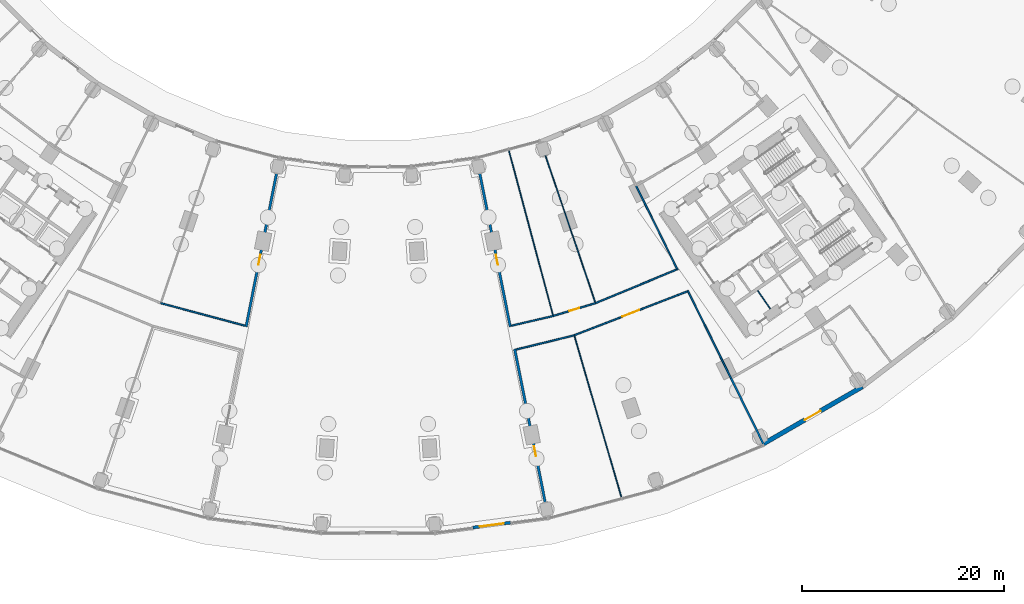
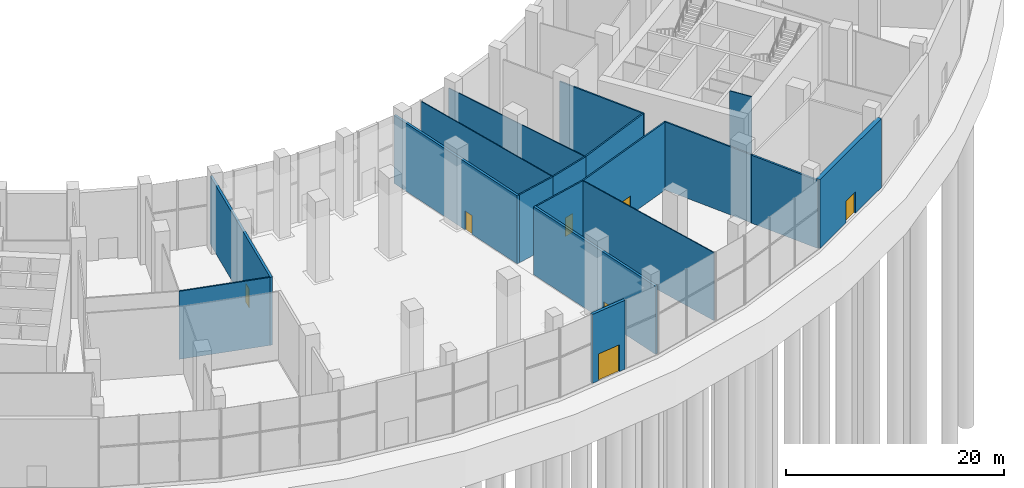
# One storey, part 8 of 23: 18 walls, 7 doors, 7 openings.
"""IFC4 building model written with IfcOpenShell, lengths in metres."""

import ifcopenshell
import ifcopenshell.guid

model = None  # the IFC model being written
_history = None  # IfcOwnerHistory: only IFC2X3 demands one
_inside = {}  # id of a spatial element -> (the spatial element, [elements in it])
_under = {}  # id of a project, library or spatial element -> (it, [spatial elements below it])
_declared = {}  # id of a project -> (the project, [libraries it declares])
_typed = {}  # id of a type object -> (the type object, [elements of that type])
_made_of = {}  # id of a material, layer set ... -> (it, [elements and type objects made of it])


def new_model(schema):
    """Start an empty IFC model of exactly this schema.

    Asked for "IFC4X3", IfcOpenShell would pick the latest addendum, in which some entities
    have other attributes; the version numbers below select the first issue.
    IFC2X3 requires an IfcOwnerHistory on every rooted entity: one is made here for all.
    """
    global model, _history
    if schema == "IFC4X3":
        model = ifcopenshell.file(schema_version=(4, 3, 0, 0))
    else:
        model = ifcopenshell.file(schema=schema)
    _inside.clear()
    _under.clear()
    _declared.clear()
    _typed.clear()
    _made_of.clear()
    _history = None
    if model.schema == "IFC2X3":
        org = make("IfcOrganization", Name="unknown")
        user = make(
            "IfcPersonAndOrganization",
            ThePerson=make("IfcPerson", FamilyName="unknown"),
            TheOrganization=org,
        )
        app = make(
            "IfcApplication",
            ApplicationDeveloper=org,
            Version="unknown",
            ApplicationFullName="unknown",
            ApplicationIdentifier="unknown",
        )
        _history = make(
            "IfcOwnerHistory",
            OwningUser=user,
            OwningApplication=app,
            ChangeAction="ADDED",
            CreationDate=0,
        )
    return model


def make(cls, **values):
    """One entity of the class cls with the attributes given. An attribute that is None is left unset."""
    return model.create_entity(
        cls, **{name: value for name, value in values.items() if value is not None}
    )


def rooted(cls, **values):
    """An entity with a GlobalId (a new one), such as an element, a storey or a relation."""
    return make(cls, GlobalId=ifcopenshell.guid.new(), OwnerHistory=_history, **values)


def si_unit(unit_type, name, prefix=None):
    """IfcSIUnit, for example si_unit("LENGTHUNIT", "METRE", prefix="MILLI")."""
    return make("IfcSIUnit", UnitType=unit_type, Prefix=prefix, Name=name)


def assignment(units):
    """IfcUnitAssignment: the units of a project."""
    return None if units is None else make("IfcUnitAssignment", Units=units)


def point(xyz):
    """IfcCartesianPoint."""
    return None if xyz is None else make("IfcCartesianPoint", Coordinates=xyz)


def direction(xyz):
    """IfcDirection."""
    return None if xyz is None else make("IfcDirection", DirectionRatios=xyz)


def frame(location, z_axis=None, x_axis=None):
    """IfcAxis2Placement3D, a coordinate frame: its origin and axes. An axis left out is left unset."""
    return make(
        "IfcAxis2Placement3D",
        Location=point(location),
        Axis=direction(z_axis),
        RefDirection=direction(x_axis),
    )


def frame_2d(location, x_axis=None):
    """IfcAxis2Placement2D, a coordinate frame in the plane: its origin and x axis."""
    return make(
        "IfcAxis2Placement2D", Location=point(location), RefDirection=direction(x_axis)
    )


def origin():
    """The frame at (0, 0, 0) with its axes left unset."""
    return frame((0.0, 0.0, 0.0))


def place(relative_to, where):
    """IfcLocalPlacement: puts the frame where relative to a parent placement (None: the world)."""
    return make(
        "IfcLocalPlacement", PlacementRelTo=relative_to, RelativePlacement=where
    )


def context(
    kind, dimensions, precision=None, world=None, true_north=None, identifier=None
):
    """IfcGeometricRepresentationContext, for example the 3D "Model" context."""
    return make(
        "IfcGeometricRepresentationContext",
        ContextIdentifier=identifier,
        ContextType=kind,
        CoordinateSpaceDimension=dimensions,
        Precision=precision,
        WorldCoordinateSystem=world,
        TrueNorth=true_north,
    )


def subcontext(parent, identifier, kind, view, scale=None):
    """IfcGeometricRepresentationSubContext, for example "Body" below "Model"."""
    return make(
        "IfcGeometricRepresentationSubContext",
        ContextIdentifier=identifier,
        ContextType=kind,
        ParentContext=parent,
        TargetScale=scale,
        TargetView=view,
    )


def project(units=None, contexts=None):
    """IfcProject with its units and contexts."""
    return rooted(
        "IfcProject",
        Name="project",
        RepresentationContexts=contexts,
        UnitsInContext=assignment(units),
    )


def spatial(cls, under=None, at=None, **own):
    """A site, building, storey or space (cls), placed at a placement, below another one or the project."""
    s = rooted(cls, ObjectPlacement=at, **own)
    if under is not None:
        _under.setdefault(under.id(), (under, []))[1].append(s)
    return s


def profile(cls, at=None, kind="AREA", **sizes):
    """A parametric profile (cls). Its sizes go by their IFC names, for example OverallWidth=200.0."""
    return make(cls, ProfileType=kind, Position=at, **sizes)


def rectangle(**sizes):
    """IfcRectangleProfileDef."""
    return profile("IfcRectangleProfileDef", **sizes)


def extrude(swept, where, along, depth):
    """IfcExtrudedAreaSolid: the profile swept, set in the frame where, extruded along a direction by depth."""
    return make(
        "IfcExtrudedAreaSolid",
        SweptArea=swept,
        Position=where,
        ExtrudedDirection=direction(along),
        Depth=depth,
    )


def shape(context_of_items, identifier, shape_type, items):
    """IfcShapeRepresentation: the items that make up one representation, for example the "Body"."""
    return make(
        "IfcShapeRepresentation",
        ContextOfItems=context_of_items,
        RepresentationIdentifier=identifier,
        RepresentationType=shape_type,
        Items=items,
    )


def material(Name=None, Category=None):
    """IfcMaterial."""
    return make("IfcMaterial", Name=Name, Category=Category)


def layer(
    of_material, thickness, ventilated=None, Name=None, Category=None, Priority=None
):
    """IfcMaterialLayer: one layer of a wall or slab, of a material (None: an air gap)."""
    return make(
        "IfcMaterialLayer",
        Material=of_material,
        LayerThickness=thickness,
        IsVentilated=ventilated,
        Name=Name,
        Category=Category,
        Priority=Priority,
    )


def layer_set(layers, Name=None):
    """IfcMaterialLayerSet."""
    return make("IfcMaterialLayerSet", MaterialLayers=layers, LayerSetName=Name)


def made_of(thing, what):
    """Note that an element or type object is made of a material, layer set ...; save() writes the relation."""
    if what is not None:
        _made_of.setdefault(what.id(), (what, []))[1].append(thing)
    return thing


def type_object(cls, material=None, **own):
    """A type object (cls), such as IfcWallType, which elements share."""
    return made_of(rooted(cls, **own), material)


def element(
    cls,
    number,
    at=None,
    inside=None,
    cuts=None,
    type_object=None,
    material=None,
    context=None,
    identifier="Body",
    shape_type=None,
    held_by="IfcProductDefinitionShape",
    body=None,
    shapes=None,
    **own,
):
    """One element of the class cls, such as IfcWall. Its Tag is "e" and its number.

    at: its placement. inside: the storey or other place that contains it. cuts: it is an
    opening in that element (IfcRelVoidsElement). A single representation is given by context,
    identifier, shape_type and body (its items); several are given by shapes. held_by: the class
    of the entity that holds the representations. save() writes the other relations.
    """
    e = rooted(cls, Tag="e%d" % number, ObjectPlacement=at, **own)
    if body is not None:
        shapes = [shape(context, identifier, shape_type, body)]
    if shapes is not None:
        e.Representation = make(held_by, Representations=shapes)
    if inside is not None:
        _inside.setdefault(inside.id(), (inside, []))[1].append(e)
    if cuts is not None:
        rooted(
            "IfcRelVoidsElement", RelatingBuildingElement=cuts, RelatedOpeningElement=e
        )
    if type_object is not None:
        _typed.setdefault(type_object.id(), (type_object, []))[1].append(e)
    return made_of(e, material)


def fill(opening, filler):
    """IfcRelFillsElement: the door or window that sits in an opening."""
    return rooted(
        "IfcRelFillsElement",
        RelatingOpeningElement=opening,
        RelatedBuildingElement=filler,
    )


def aggregate(whole, parts):
    """IfcRelAggregates: a whole, such as a stair, and the parts it consists of."""
    return rooted("IfcRelAggregates", RelatingObject=whole, RelatedObjects=parts)


def save(model, path):
    """Write the relations noted so far, then the file.

    IfcRelAggregates (storeys below a building ...), IfcRelContainedInSpatialStructure (elements
    in a storey), IfcRelDefinesByType, IfcRelAssociatesMaterial and IfcRelDeclares: one each for
    every whole, place, type object, material and project.
    """
    for whole, parts in _under.values():
        aggregate(whole, parts)
    for where, things in _inside.values():
        rooted(
            "IfcRelContainedInSpatialStructure",
            RelatedElements=things,
            RelatingStructure=where,
        )
    for kind, things in _typed.values():
        rooted("IfcRelDefinesByType", RelatedObjects=things, RelatingType=kind)
    for what, things in _made_of.values():
        rooted("IfcRelAssociatesMaterial", RelatedObjects=things, RelatingMaterial=what)
    for by, libraries in _declared.values():
        rooted("IfcRelDeclares", RelatingContext=by, RelatedDefinitions=libraries)
    model.write(path)


model = new_model("IFC4")

# Units and contexts
model_context = context("Model", 3, precision=1e-05, world=origin(), true_north=direction((0.0, 1.0)))
body_context = subcontext(model_context, "Body", "Model", "MODEL_VIEW")
ifc_project = project(units=[si_unit("LENGTHUNIT", "METRE"), si_unit("AREAUNIT", "SQUARE_METRE"), si_unit("VOLUMEUNIT", "CUBIC_METRE"), si_unit("PLANEANGLEUNIT", "RADIAN"), si_unit("MASSUNIT", "GRAM", prefix="KILO")], contexts=[model_context])

# Site, building, storey
site_placement = place(None, origin())
site = spatial("IfcSite", under=ifc_project, at=site_placement, CompositionType="ELEMENT")
building_placement = place(site_placement, origin())
building = spatial("IfcBuilding", under=site, at=building_placement, Name="Qamariyya Broadcast Tower", CompositionType="ELEMENT")
storey_placement = place(building_placement, origin())
storey = spatial("IfcBuildingStorey", under=building, at=storey_placement, Name="L00", CompositionType="ELEMENT", Elevation=0.0)

# Wall, opening, door
ifc_material_1 = material(Name="Masonry block wall", Category="masonry")
ifc_layer_1 = layer(ifc_material_1, 0.25)
ifc_layer_set_1 = layer_set([ifc_layer_1], Name="Concourse compartment wall 250 EI 120")
wall_type_1 = type_object("IfcWallType", Name="Concourse compartment wall 250 EI 120", PredefinedType="PARTITIONING", material=ifc_layer_set_1)
wall_1_placement = place(storey_placement, frame((-13.046630859375, -65.590087890625, 0.0), z_axis=(0.0, 0.0, 1.0), x_axis=(0.195085176221, 0.980786303952, 0.0)))
wall_1 = element("IfcWall", 1, at=wall_1_placement, inside=storey, type_object=wall_type_1, Name="Partition L00-031", PredefinedType="PARTITIONING", context=body_context, shape_type="SweptSolid", body=[
    extrude(rectangle(XDim=17.125, YDim=0.25, at=frame_2d((8.5625, 0.0))), origin(), (0.0, 0.0, 1.0), 7.60009765625),
])
opening_1_placement = place(wall_1_placement, frame((6.262451171875, 0.0, 0.0)))
opening_1 = element("IfcOpeningElement", 2, at=opening_1_placement, cuts=wall_1, Name="Opening L00-D03", PredefinedType="OPENING", context=body_context, shape_type="SweptSolid", body=[
    extrude(rectangle(XDim=1.0, YDim=2.10009765625, at=frame_2d((0.5, 1.050048828125))), frame((0.0, 0.135009765625, 0.0), z_axis=(0.0, -1.0, 0.0), x_axis=(1.0, 0.0, 0.0)), (0.0, 0.0, 1.0), 0.27001953125),
])
ifc_material_2 = material(Name="Timber fire door leaf", Category="wood")
door_type_1 = type_object("IfcDoorType", Name="Fire door 1000 x 2100 FD60", OperationType="NOTDEFINED", PredefinedType="DOOR", material=ifc_material_2)
door_1_placement = place(opening_1_placement, origin())
door_1 = element("IfcDoor", 3, at=door_1_placement, inside=storey, type_object=door_type_1, Name="Door L00-D03", OperationType="SINGLE_SWING_LEFT", OverallHeight=2.10009765625, OverallWidth=1.0, PredefinedType="DOOR", context=body_context, shape_type="SweptSolid", body=[
    extrude(rectangle(XDim=1.0, YDim=2.10009765625, at=frame_2d((0.5, 1.050048828125))), frame((0.0, 0.02490234375, 0.0), z_axis=(0.0, -1.0, 0.0), x_axis=(1.0, 0.0, 0.0)), (0.0, 0.0, 1.0), 0.050048828125),
])
fill(opening_1, door_1)

wall_2_placement = place(storey_placement, frame((9.705810546875, -48.794189453125, 0.0), z_axis=(0.0, 0.0, 1.0), x_axis=(0.195085176221, -0.980786303952, 0.0)))
wall_2 = element("IfcWall", 4, at=wall_2_placement, inside=storey, type_object=wall_type_1, Name="Partition L00-032", PredefinedType="PARTITIONING", context=body_context, shape_type="SweptSolid", body=[
    extrude(rectangle(XDim=17.125, YDim=0.25, at=frame_2d((8.5625, 0.0))), origin(), (0.0, 0.0, 1.0), 7.60009765625),
])
opening_2_placement = place(wall_2_placement, frame((9.862548828125, 0.0, 0.0)))
opening_2 = element("IfcOpeningElement", 5, at=opening_2_placement, cuts=wall_2, Name="Opening L00-D06", PredefinedType="OPENING", context=body_context, shape_type="SweptSolid", body=[
    extrude(rectangle(XDim=1.0, YDim=2.10009765625, at=frame_2d((0.5, 1.050048828125))), frame((0.0, 0.135009765625, 0.0), z_axis=(0.0, -1.0, 0.0), x_axis=(1.0, 0.0, 0.0)), (0.0, 0.0, 1.0), 0.27001953125),
])
door_2_placement = place(opening_2_placement, origin())
door_2 = element("IfcDoor", 6, at=door_2_placement, inside=storey, type_object=door_type_1, Name="Door L00-D06", OperationType="SINGLE_SWING_RIGHT", OverallHeight=2.10009765625, OverallWidth=1.0, PredefinedType="DOOR", context=body_context, shape_type="SweptSolid", body=[
    extrude(rectangle(XDim=1.0, YDim=2.10009765625, at=frame_2d((0.5, 1.050048828125))), frame((0.0, 0.02490234375, 0.0), z_axis=(0.0, -1.0, 0.0), x_axis=(1.0, 0.0, 0.0)), (0.0, 0.0, 1.0), 0.050048828125),
])
fill(opening_2, door_2)

wall_3_placement = place(storey_placement, frame((13.485595703125, -67.796875, 0.0), z_axis=(0.0, 0.0, 1.0), x_axis=(0.195086842272, -0.980785972561, 0.0)))
wall_3 = element("IfcWall", 7, at=wall_3_placement, inside=storey, type_object=wall_type_1, Name="Partition L00-035", PredefinedType="PARTITIONING", context=body_context, shape_type="SweptSolid", body=[
    extrude(rectangle(XDim=16.924560546875, YDim=0.25, at=frame_2d((8.46240234375, 0.0))), origin(), (0.0, 0.0, 1.0), 7.60009765625),
])
opening_3_placement = place(wall_3_placement, frame((9.76220703125, 0.0, 0.0)))
opening_3 = element("IfcOpeningElement", 8, at=opening_3_placement, cuts=wall_3, Name="Opening L00-D04", PredefinedType="OPENING", context=body_context, shape_type="SweptSolid", body=[
    extrude(rectangle(XDim=1.0, YDim=2.10009765625, at=frame_2d((0.5, 1.050048828125))), frame((0.0, 0.135009765625, 0.0), z_axis=(0.0, -1.0, 0.0), x_axis=(1.0, 0.0, 0.0)), (0.0, 0.0, 1.0), 0.27001953125),
])
door_3_placement = place(opening_3_placement, origin())
door_3 = element("IfcDoor", 9, at=door_3_placement, inside=storey, type_object=door_type_1, Name="Door L00-D04", OperationType="SINGLE_SWING_RIGHT", OverallHeight=2.10009765625, OverallWidth=1.0, PredefinedType="DOOR", context=body_context, shape_type="SweptSolid", body=[
    extrude(rectangle(XDim=1.0, YDim=2.10009765625, at=frame_2d((0.5, 1.050048828125))), frame((0.0, 0.02490234375, 0.0), z_axis=(0.0, -1.0, 0.0), x_axis=(1.0, 0.0, 0.0)), (0.0, 0.0, 1.0), 0.050048828125),
])
fill(opening_3, door_3)

# Walls
ifc_material_3 = material(Name="Gypsum board partition")
ifc_layer_2 = layer(ifc_material_3, 0.14990234375)
ifc_layer_set_2 = layer_set([ifc_layer_2], Name="Corridor partition 150 EI 60")
wall_type_2 = type_object("IfcWallType", Name="Corridor partition 150 EI 60", PredefinedType="PARTITIONING", material=ifc_layer_set_2)
wall_4_placement = place(storey_placement, frame((-21.47216796875, -63.2548828125, 0.0), z_axis=(0.0, 0.0, 1.0), x_axis=(0.96592325157, -0.258828653894, 0.0)))
element("IfcWall", 10, at=wall_4_placement, inside=storey, type_object=wall_type_2, Name="Partition L00-028", PredefinedType="PARTITIONING", context=body_context, shape_type="SweptSolid", body=[
    extrude(rectangle(XDim=8.61279296875, YDim=0.14990234375, at=frame_2d((4.306396484375, 0.0))), origin(), (0.0, 0.0, 1.0), 7.60009765625),
])
wall_5_placement = place(storey_placement, frame((13.15380859375, -65.488037109375, 0.0), z_axis=(0.0, 0.0, 1.0), x_axis=(0.973881908434, 0.227055121998, 0.0)))
element("IfcWall", 11, at=wall_5_placement, inside=storey, type_object=wall_type_2, Name="Partition L00-034", PredefinedType="PARTITIONING", context=body_context, shape_type="SweptSolid", body=[
    extrude(rectangle(XDim=4.24609375, YDim=0.14990234375, at=frame_2d((2.123046875, 0.0))), origin(), (0.0, 0.0, 1.0), 7.60009765625),
])
wall_6_placement = place(storey_placement, frame((13.62158203125, -67.840576171875, 0.0), z_axis=(0.0, 0.0, 1.0), x_axis=(0.971337396257, 0.237704990762, 0.0)))
element("IfcWall", 12, at=wall_6_placement, inside=storey, type_object=wall_type_2, Name="Partition L00-036", PredefinedType="PARTITIONING", context=body_context, shape_type="SweptSolid", body=[
    extrude(rectangle(XDim=5.913818359375, YDim=0.14990234375, at=frame_2d((2.95703125, 0.0))), origin(), (0.0, 0.0, 1.0), 7.60009765625),
])

# Wall, opening, door
wall_7_placement = place(storey_placement, frame((17.2890625, -64.52392578125, 0.0), z_axis=(0.0, 0.0, 1.0), x_axis=(0.956933231095, 0.290308097072, 0.0)))
wall_7 = element("IfcWall", 13, at=wall_7_placement, inside=storey, type_object=wall_type_2, Name="Partition L00-038", PredefinedType="PARTITIONING", context=body_context, shape_type="SweptSolid", body=[
    extrude(rectangle(XDim=4.371337890625, YDim=0.14990234375, at=frame_2d((2.185546875, 0.0))), origin(), (0.0, 0.0, 1.0), 7.60009765625),
])
opening_4_placement = place(wall_7_placement, frame((1.685546875, 0.0, 0.0)))
opening_4 = element("IfcOpeningElement", 14, at=opening_4_placement, cuts=wall_7, Name="Opening L00-D07", PredefinedType="OPENING", context=body_context, shape_type="SweptSolid", body=[
    extrude(rectangle(XDim=1.0, YDim=2.10009765625, at=frame_2d((0.5, 1.050048828125))), frame((0.0, 0.0849609375, 0.0), z_axis=(0.0, -1.0, 0.0), x_axis=(1.0, 0.0, 0.0)), (0.0, 0.0, 1.0), 0.169921875),
])
door_4_placement = place(opening_4_placement, origin())
door_4 = element("IfcDoor", 15, at=door_4_placement, inside=storey, type_object=door_type_1, Name="Door L00-D07", OperationType="SINGLE_SWING_RIGHT", OverallHeight=2.10009765625, OverallWidth=1.0, PredefinedType="DOOR", context=body_context, shape_type="SweptSolid", body=[
    extrude(rectangle(XDim=1.0, YDim=2.10009765625, at=frame_2d((0.5, 1.050048828125))), frame((0.0, 0.02490234375, 0.0), z_axis=(0.0, -1.0, 0.0), x_axis=(1.0, 0.0, 0.0)), (0.0, 0.0, 1.0), 0.050048828125),
])
fill(opening_4, door_4)

wall_8_placement = place(storey_placement, frame((30.536376953125, -62.0908203125, 0.0), z_axis=(0.0, 0.0, 1.0), x_axis=(-0.932006200644, -0.362442329153, 0.0)))
wall_8 = element("IfcWall", 16, at=wall_8_placement, inside=storey, type_object=wall_type_2, Name="Partition L00-039", PredefinedType="PARTITIONING", context=body_context, shape_type="SweptSolid", body=[
    extrude(rectangle(XDim=11.9853515625, YDim=0.14990234375, at=frame_2d((5.99267578125, 0.0))), origin(), (0.0, 0.0, 1.0), 7.60009765625),
])
opening_5_placement = place(wall_8_placement, frame((5.0927734375, 0.0, 0.0)))
opening_5 = element("IfcOpeningElement", 17, at=opening_5_placement, cuts=wall_8, Name="Opening L00-D05", PredefinedType="OPENING", context=body_context, shape_type="SweptSolid", body=[
    extrude(rectangle(XDim=1.800048828125, YDim=2.10009765625, at=frame_2d((0.89990234375, 1.050048828125))), frame((0.0, 0.0849609375, 0.0), z_axis=(0.0, -1.0, 0.0), x_axis=(1.0, 0.0, 0.0)), (0.0, 0.0, 1.0), 0.169921875),
])
door_type_2 = type_object("IfcDoorType", Name="Double fire door 1800 x 2100 FD60", OperationType="NOTDEFINED", PredefinedType="DOOR", material=ifc_material_2)
door_5_placement = place(opening_5_placement, origin())
door_5 = element("IfcDoor", 18, at=door_5_placement, inside=storey, type_object=door_type_2, Name="Door L00-D05", OperationType="DOUBLE_DOOR_SINGLE_SWING", OverallHeight=2.10009765625, OverallWidth=1.800048828125, PredefinedType="DOOR", context=body_context, shape_type="SweptSolid", body=[
    extrude(rectangle(XDim=1.800048828125, YDim=2.10009765625, at=frame_2d((0.89990234375, 1.050048828125))), frame((0.0, 0.02490234375, 0.0), z_axis=(0.0, -1.0, 0.0), x_axis=(1.0, 0.0, 0.0)), (0.0, 0.0, 1.0), 0.050048828125),
])
fill(opening_5, door_5)

# Walls
wall_9_placement = place(storey_placement, frame((21.47216796875, -63.2548828125, 0.0), z_axis=(0.0, 0.0, 1.0), x_axis=(0.923877031545, 0.382689470177, 0.0)))
element("IfcWall", 19, at=wall_9_placement, inside=storey, type_object=wall_type_2, Name="Partition L00-040", PredefinedType="PARTITIONING", context=body_context, shape_type="SweptSolid", body=[
    extrude(rectangle(XDim=8.662841796875, YDim=0.14990234375, at=frame_2d((4.33154296875, 0.0))), origin(), (0.0, 0.0, 1.0), 7.60009765625),
])
wall_10_placement = place(storey_placement, frame((25.475830078125, -51.659912109375, 0.0), z_axis=(0.0, 0.0, 1.0), x_axis=(0.442300315355, -0.896867008556, 0.0)))
element("IfcWall", 20, at=wall_10_placement, inside=storey, type_object=wall_type_2, Name="Partition L00-043", PredefinedType="PARTITIONING", context=body_context, shape_type="SweptSolid", body=[
    extrude(rectangle(XDim=9.27490234375, YDim=0.14990234375, at=frame_2d((4.637451171875, 0.0))), origin(), (0.0, 0.0, 1.0), 7.60009765625),
])
wall_11_placement = place(storey_placement, frame((30.5732421875, -61.996337890625, 0.0), z_axis=(0.0, 0.0, 1.0), x_axis=(0.442281083907, -0.89687649251, 0.0)))
element("IfcWall", 21, at=wall_11_placement, inside=storey, type_object=wall_type_2, Name="Partition L00-046", PredefinedType="PARTITIONING", context=body_context, shape_type="SweptSolid", body=[
    extrude(rectangle(XDim=9.675048828125, YDim=0.14990234375, at=frame_2d((4.83740234375, 0.0))), origin(), (0.0, 0.0, 1.0), 7.60009765625),
])
ifc_layer_3 = layer(ifc_material_3, 0.10009765625)
ifc_layer_set_3 = layer_set([ifc_layer_3], Name="Partition 100")
wall_type_3 = type_object("IfcWallType", Name="Partition 100", PredefinedType="PARTITIONING", material=ifc_layer_set_3)
wall_12_placement = place(storey_placement, frame((12.900390625, -48.14501953125, 0.0), z_axis=(0.0, 0.0, 1.0), x_axis=(0.258824516405, -0.965924360241, 0.0)))
element("IfcWall", 22, at=wall_12_placement, inside=storey, type_object=wall_type_3, Name="Partition L00-033", PredefinedType="PARTITIONING", context=body_context, shape_type="SweptSolid", body=[
    extrude(rectangle(XDim=16.881591796875, YDim=0.10009765625, at=frame_2d((8.44091796875, 0.0))), origin(), (0.0, 0.0, 1.0), 7.60009765625),
])
wall_13_placement = place(storey_placement, frame((16.13623046875, -47.535888671875, 0.0), z_axis=(0.0, 0.0, 1.0), x_axis=(0.321439713462, -0.946930045256, 0.0)))
element("IfcWall", 23, at=wall_13_placement, inside=storey, type_object=wall_type_3, Name="Partition L00-037", PredefinedType="PARTITIONING", context=body_context, shape_type="SweptSolid", body=[
    extrude(rectangle(XDim=16.52490234375, YDim=0.10009765625, at=frame_2d((8.262451171875, 0.0))), origin(), (0.0, 0.0, 1.0), 7.60009765625),
])
wall_14_placement = place(storey_placement, frame((24.03564453125, -82.4541015625, 0.0), z_axis=(0.0, 0.0, 1.0), x_axis=(-0.27985551431, 0.960042129862, 0.0)))
element("IfcWall", 24, at=wall_14_placement, inside=storey, type_object=wall_type_3, Name="Partition L00-042", PredefinedType="PARTITIONING", context=body_context, shape_type="SweptSolid", body=[
    extrude(rectangle(XDim=16.611083984375, YDim=0.10009765625, at=frame_2d((8.3056640625, 0.0))), origin(), (0.0, 0.0, 1.0), 7.60009765625),
])
ifc_layer_4 = layer(ifc_material_1, 0.199951171875)
ifc_layer_set_4 = layer_set([ifc_layer_4], Name="Plant room wall 200 EI 120")
wall_type_4 = type_object("IfcWallType", Name="Plant room wall 200 EI 120", PredefinedType="PARTITIONING", material=ifc_layer_set_4)
wall_15_placement = place(storey_placement, frame((34.852294921875, -70.673583984375, 0.0), z_axis=(0.0, 0.0, 1.0), x_axis=(0.442303616305, -0.896865380647, 0.0)))
element("IfcWall", 25, at=wall_15_placement, inside=storey, type_object=wall_type_4, Name="Partition L00-049", PredefinedType="PARTITIONING", context=body_context, shape_type="SweptSolid", body=[
    extrude(rectangle(XDim=7.249755859375, YDim=0.199951171875, at=frame_2d((3.625, 0.0))), origin(), (0.0, 0.0, 1.0), 7.60009765625),
])

# Wall, opening, door
ifc_material_4 = material(Name="Precast concrete C40/50 with terracotta facing", Category="masonry")
ifc_layer_5 = layer(ifc_material_4, 0.300048828125)
ifc_layer_set_5 = layer_set([ifc_layer_5], Name="Precast concrete C40/50 entrance portal wall 300, terracotta faced")
wall_type_5 = type_object("IfcWallType", Name="Precast concrete C40/50 entrance portal wall 300, terracotta faced", PredefinedType="SOLIDWALL", material=ifc_layer_set_5)
wall_16_placement = place(storey_placement, frame((9.349853515625, -85.42578125, 0.0), z_axis=(0.0, 0.0, 1.0), x_axis=(0.99144147491, 0.130551912392, 0.0)))
wall_16 = element("IfcWall", 26, at=wall_16_placement, inside=storey, type_object=wall_type_5, Name="e-wl-L00-portal-out11", PredefinedType="SOLIDWALL", context=body_context, shape_type="SweptSolid", body=[
    extrude(rectangle(XDim=3.7607421875, YDim=0.300048828125, at=frame_2d((1.88037109375, 0.0))), origin(), (0.0, 0.0, 1.0), 7.699951171875),
])
opening_6_placement = place(wall_16_placement, frame((0.680419921875, 0.0, 0.0)))
opening_6 = element("IfcOpeningElement", 27, at=opening_6_placement, cuts=wall_16, Name="Opening ED1", PredefinedType="OPENING", context=body_context, shape_type="SweptSolid", body=[
    extrude(rectangle(XDim=2.39990234375, YDim=3.0, at=frame_2d((1.199951171875, 1.5))), frame((0.0, 0.159912109375, 0.0), z_axis=(0.0, -1.0, 0.0), x_axis=(1.0, 0.0, 0.0)), (0.0, 0.0, 1.0), 0.320068359375),
])
ifc_material_5 = material(Name="Toughened glass in stainless steel frame", Category="steel")
door_type_3 = type_object("IfcDoorType", Name="Concourse entrance door 2400 x 3000", OperationType="DOUBLE_DOOR_DOUBLE_SWING", PredefinedType="DOOR", material=ifc_material_5)
door_6_placement = place(opening_6_placement, origin())
door_6 = element("IfcDoor", 28, at=door_6_placement, inside=storey, type_object=door_type_3, Name="e-ed-L00-ent-out11", OperationType="DOUBLE_DOOR_DOUBLE_SWING", OverallHeight=3.0, OverallWidth=2.39990234375, PredefinedType="DOOR", context=body_context, shape_type="SweptSolid", body=[
    extrude(rectangle(XDim=2.39990234375, YDim=3.0, at=frame_2d((1.199951171875, 1.5))), frame((0.0, 0.02490234375, 0.0), z_axis=(0.0, -1.0, 0.0), x_axis=(1.0, 0.0, 0.0)), (0.0, 0.0, 1.0), 0.050048828125),
])
fill(opening_6, door_6)

ifc_layer_6 = layer(ifc_material_4, 0.449951171875)
ifc_layer_set_6 = layer_set([ifc_layer_6], Name="Precast concrete C40/50 wall 450, terracotta faced")
wall_type_6 = type_object("IfcWallType", Name="Precast concrete C40/50 wall 450, terracotta faced", PredefinedType="SOLIDWALL", material=ifc_layer_set_6)
wall_17_placement = place(storey_placement, frame((38.034912109375, -77.160400390625, 0.0), z_axis=(0.0, 0.0, 1.0), x_axis=(0.866022921069, 0.500004300164, 0.0)))
wall_17 = element("IfcWall", 29, at=wall_17_placement, inside=storey, type_object=wall_type_6, Name="e-wl-L00-out140", PredefinedType="SOLIDWALL", context=body_context, shape_type="SweptSolid", body=[
    extrude(rectangle(XDim=11.29736328125, YDim=0.449951171875, at=frame_2d((5.648681640625, 0.0))), origin(), (0.0, 0.0, 1.0), 7.699951171875),
])
opening_7_placement = place(wall_17_placement, frame((4.740966796875, 0.0, 0.0)))
opening_7 = element("IfcOpeningElement", 30, at=opening_7_placement, cuts=wall_17, Name="Opening ED8", PredefinedType="OPENING", context=body_context, shape_type="SweptSolid", body=[
    extrude(rectangle(XDim=1.800048828125, YDim=2.39990234375, at=frame_2d((0.89990234375, 1.199951171875))), frame((0.0, 0.23486328125, 0.0), z_axis=(0.0, -1.0, 0.0), x_axis=(1.0, 0.0, 0.0)), (0.0, 0.0, 1.0), 0.469970703125),
])
door_type_4 = type_object("IfcDoorType", Name="Street exit door 1800 x 2400", OperationType="DOUBLE_DOOR_DOUBLE_SWING", PredefinedType="DOOR", material=ifc_material_5)
door_7_placement = place(opening_7_placement, origin())
door_7 = element("IfcDoor", 31, at=door_7_placement, inside=storey, type_object=door_type_4, Name="e-ed-L00-exit03-out14", OperationType="DOUBLE_DOOR_DOUBLE_SWING", OverallHeight=2.39990234375, OverallWidth=1.800048828125, PredefinedType="DOOR", context=body_context, shape_type="SweptSolid", body=[
    extrude(rectangle(XDim=1.800048828125, YDim=2.39990234375, at=frame_2d((0.89990234375, 1.199951171875))), frame((0.0, 0.02490234375, 0.0), z_axis=(0.0, -1.0, 0.0), x_axis=(1.0, 0.0, 0.0)), (0.0, 0.0, 1.0), 0.050048828125),
])
fill(opening_7, door_7)

# Wall
ifc_material_6 = material(Name="Fire-rated gypsum shaft liner on steel studs", Category="steel")
ifc_layer_7 = layer(ifc_material_6, 0.10009765625)
ifc_layer_set_7 = layer_set([ifc_layer_7], Name="Riser wall 100 mm")
wall_type_7 = type_object("IfcWallType", Name="Riser wall 100 mm", PredefinedType="PLUMBINGWALL", material=ifc_layer_set_7)
wall_18_placement = place(storey_placement, frame((37.47802734375, -62.01953125, 0.0), z_axis=(0.0, 0.0, 1.0), x_axis=(0.573581496053, -0.819148501424, 0.0)))
element("IfcWall", 32, at=wall_18_placement, inside=storey, type_object=wall_type_7, Name="k-E-L00-SP265", PredefinedType="PLUMBINGWALL", context=body_context, shape_type="SweptSolid", body=[
    extrude(rectangle(XDim=2.2001953125, YDim=0.10009765625, at=frame_2d((1.10009765625, 0.0))), origin(), (0.0, 0.0, 1.0), 8.60009765625),
])

save(model, "model.ifc")
